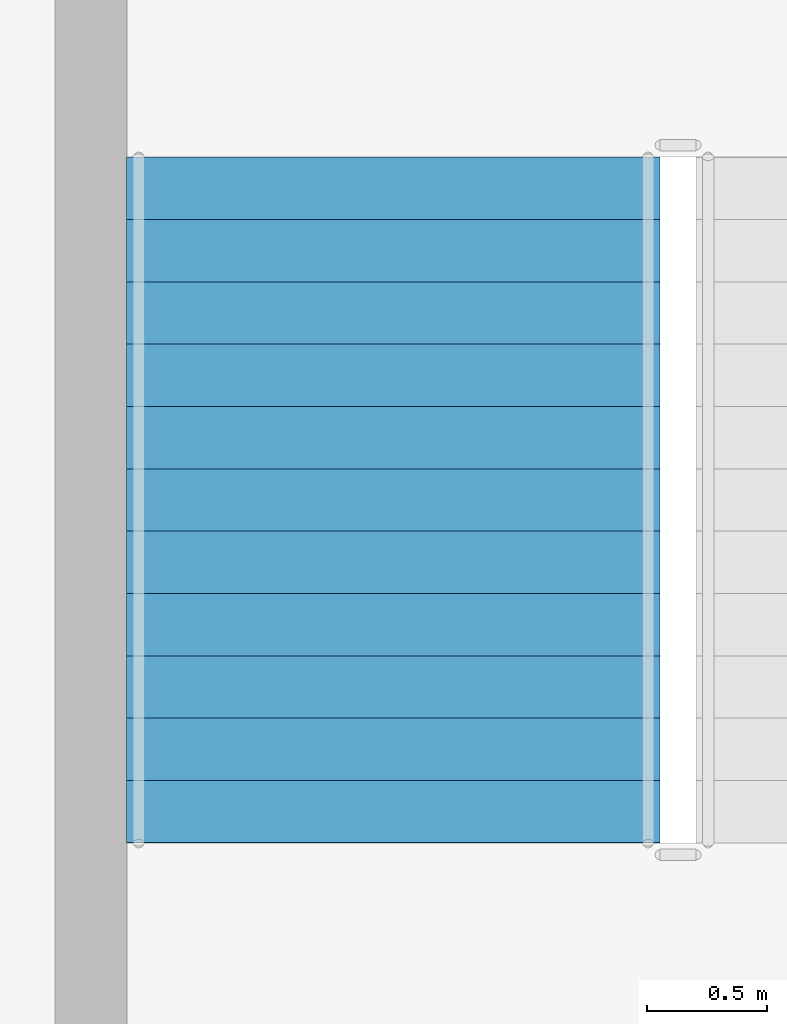
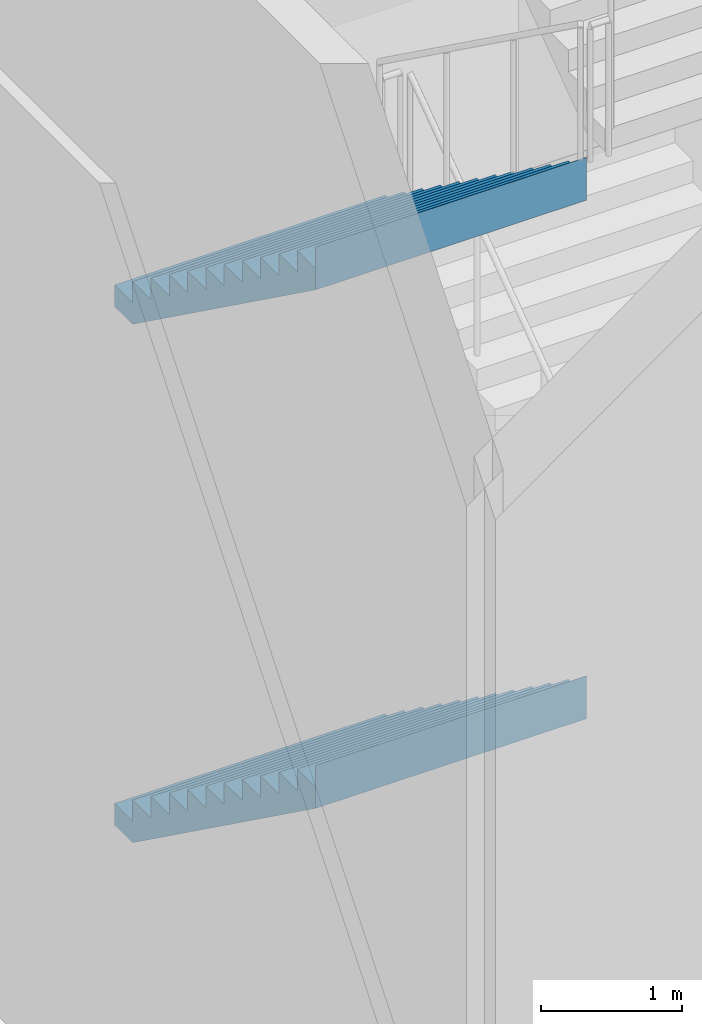
# One storey, part 17 of 35: 2 stair flights, 1 element without a shape of its own.
"""IFC4 building model written with IfcOpenShell, lengths in metres."""

from ifc_helpers import new_model, si_unit, direction, frame, origin, place, context, subcontext, project, spatial, triangles, material, type_object, element, aggregate, save


model = new_model("IFC4")

# Units and contexts
model_context = context("Model", 3, precision=1e-05, world=origin(), true_north=direction((0.0, 1.0)))
body_context = subcontext(model_context, "Body", "Model", "MODEL_VIEW")
ifc_project = project(units=[si_unit("LENGTHUNIT", "METRE"), si_unit("AREAUNIT", "SQUARE_METRE"), si_unit("VOLUMEUNIT", "CUBIC_METRE"), si_unit("PLANEANGLEUNIT", "RADIAN"), si_unit("MASSUNIT", "GRAM", prefix="KILO")], contexts=[model_context])

# Site, building, storey
site_placement = place(None, origin())
site = spatial("IfcSite", under=ifc_project, at=site_placement, CompositionType="ELEMENT")
building_placement = place(site_placement, origin())
building = spatial("IfcBuilding", under=site, at=building_placement, Name="Sahrelin Media Tower", CompositionType="ELEMENT")
storey_placement = place(building_placement, frame((0.0, 0.0, 8.0)))
storey = spatial("IfcBuildingStorey", under=building, at=storey_placement, Name="L01", CompositionType="ELEMENT", Elevation=8.0)

# Stair, stair flights
ifc_material = material(Name="Concrete C40/50", Category="concrete")
stair_type = type_object("IfcStairType", Name="Podium stair 2225", PredefinedType="HALF_TURN_STAIR", material=ifc_material)
stair_placement = place(storey_placement, origin())
stair = element("IfcStair", 1, at=stair_placement, inside=storey, type_object=stair_type, Name="L01 Podium stair PS4", PredefinedType="HALF_TURN_STAIR")
stair_flight_type = type_object("IfcStairFlightType", Name="Stair flight 2225", PredefinedType="STRAIGHT", material=ifc_material)
stair_flight_1_placement = place(storey_placement, frame((9.46240234375, -30.625, 0.0), z_axis=(0.0, 0.0, 1.0), x_axis=(0.0, -1.0, 0.0)))
stair_flight_1 = element("IfcStairFlight", 2, at=stair_flight_1_placement, type_object=stair_flight_type, Name="PS4 flight 1", NumberOfRisers=12, NumberOfTreads=11, PredefinedType="STRAIGHT", RiserHeight=0.1875, TreadLength=0.26, context=body_context, shape_type="Tessellation", body=[
    triangles([(0.25634765625, 1.112548828125, 0.0), (0.25634765625, 0.794677734375, 0.0), (0.25634765625, 0.476806640625, 0.0), (0.25634765625, 0.158935546875, 0.0), (0.25634765625, -0.158935546875, 0.0), (0.25634765625, -0.476806640625, 0.0), (0.25634765625, -0.794677734375, 0.0), (0.25634765625, -1.112548828125, 0.0), (2.860107421875, 1.112548828125, 1.877685546875), (2.860107421875, 0.794677734375, 1.877685546875), (2.860107421875, 0.476806640625, 1.877685546875), (2.860107421875, 0.158935546875, 1.877685546875), (2.860107421875, -0.158935546875, 1.877685546875), (2.860107421875, -0.476806640625, 1.877685546875), (2.860107421875, -0.794677734375, 1.877685546875), (2.860107421875, -1.112548828125, 1.877685546875), (2.860107421875, 1.112548828125, 2.25), (2.860107421875, 0.794677734375, 2.25), (2.860107421875, 0.476806640625, 2.25), (2.860107421875, 0.158935546875, 2.25), (2.860107421875, -0.158935546875, 2.25), (2.860107421875, -0.476806640625, 2.25), (2.860107421875, -0.794677734375, 2.25), (2.860107421875, -1.112548828125, 2.25), (2.85791015625, 1.112548828125, 2.25), (2.85791015625, 0.794677734375, 2.25), (2.85791015625, 0.476806640625, 2.25), (2.85791015625, 0.158935546875, 2.25), (2.85791015625, -0.158935546875, 2.25), (2.85791015625, -0.476806640625, 2.25), (2.85791015625, -0.794677734375, 2.25), (2.85791015625, -1.112548828125, 2.25), (2.85791015625, 1.112548828125, 2.0625), (2.85791015625, 0.794677734375, 2.0625), (2.85791015625, 0.476806640625, 2.0625), (2.85791015625, 0.158935546875, 2.0625), (2.85791015625, -0.158935546875, 2.0625), (2.85791015625, -0.476806640625, 2.0625), (2.85791015625, -0.794677734375, 2.0625), (2.85791015625, -1.112548828125, 2.0625), (2.60009765625, 1.112548828125, 2.0625), (2.60009765625, 0.794677734375, 2.0625), (2.60009765625, 0.476806640625, 2.0625), (2.60009765625, 0.158935546875, 2.0625), (2.60009765625, -0.158935546875, 2.0625), (2.60009765625, -0.476806640625, 2.0625), (2.60009765625, -0.794677734375, 2.0625), (2.60009765625, -1.112548828125, 2.0625), (2.60009765625, 1.112548828125, 1.875), (2.60009765625, 0.794677734375, 1.875), (2.60009765625, 0.476806640625, 1.875), (2.60009765625, 0.158935546875, 1.875), (2.60009765625, -0.158935546875, 1.875), (2.60009765625, -0.476806640625, 1.875), (2.60009765625, -0.794677734375, 1.875), (2.60009765625, -1.112548828125, 1.875), (2.340087890625, 1.112548828125, 1.875), (2.340087890625, 0.794677734375, 1.875), (2.340087890625, 0.476806640625, 1.875), (2.340087890625, 0.158935546875, 1.875), (2.340087890625, -0.158935546875, 1.875), (2.340087890625, -0.476806640625, 1.875), (2.340087890625, -0.794677734375, 1.875), (2.340087890625, -1.112548828125, 1.875), (2.340087890625, 1.112548828125, 1.6875), (2.340087890625, 0.794677734375, 1.6875), (2.340087890625, 0.476806640625, 1.6875), (2.340087890625, 0.158935546875, 1.6875), (2.340087890625, -0.158935546875, 1.6875), (2.340087890625, -0.476806640625, 1.6875), (2.340087890625, -0.794677734375, 1.6875), (2.340087890625, -1.112548828125, 1.6875), (2.080078125, 1.112548828125, 1.6875), (2.080078125, 0.794677734375, 1.6875), (2.080078125, 0.476806640625, 1.6875), (2.080078125, 0.158935546875, 1.6875), (2.080078125, -0.158935546875, 1.6875), (2.080078125, -0.476806640625, 1.6875), (2.080078125, -0.794677734375, 1.6875), (2.080078125, -1.112548828125, 1.6875), (2.080078125, 1.112548828125, 1.5), (2.080078125, 0.794677734375, 1.5), (2.080078125, 0.476806640625, 1.5), (2.080078125, 0.158935546875, 1.5), (2.080078125, -0.158935546875, 1.5), (2.080078125, -0.476806640625, 1.5), (2.080078125, -0.794677734375, 1.5), (2.080078125, -1.112548828125, 1.5), (1.820068359375, 1.112548828125, 1.5), (1.820068359375, 0.794677734375, 1.5), (1.820068359375, 0.476806640625, 1.5), (1.820068359375, 0.158935546875, 1.5), (1.820068359375, -0.158935546875, 1.5), (1.820068359375, -0.476806640625, 1.5), (1.820068359375, -0.794677734375, 1.5), (1.820068359375, -1.112548828125, 1.5), (1.820068359375, 1.112548828125, 1.3125), (1.820068359375, 0.794677734375, 1.3125), (1.820068359375, 0.476806640625, 1.3125), (1.820068359375, 0.158935546875, 1.3125), (1.820068359375, -0.158935546875, 1.3125), (1.820068359375, -0.476806640625, 1.3125), (1.820068359375, -0.794677734375, 1.3125), (1.820068359375, -1.112548828125, 1.3125), (1.56005859375, 1.112548828125, 1.3125), (1.56005859375, 0.794677734375, 1.3125), (1.56005859375, 0.476806640625, 1.3125), (1.56005859375, 0.158935546875, 1.3125), (1.56005859375, -0.158935546875, 1.3125), (1.56005859375, -0.476806640625, 1.3125), (1.56005859375, -0.794677734375, 1.3125), (1.56005859375, -1.112548828125, 1.3125), (1.56005859375, 1.112548828125, 1.125), (1.56005859375, 0.794677734375, 1.125), (1.56005859375, 0.476806640625, 1.125), (1.56005859375, 0.158935546875, 1.125), (1.56005859375, -0.158935546875, 1.125), (1.56005859375, -0.476806640625, 1.125), (1.56005859375, -0.794677734375, 1.125), (1.56005859375, -1.112548828125, 1.125), (1.300048828125, 1.112548828125, 1.125), (1.300048828125, 0.794677734375, 1.125), (1.300048828125, 0.476806640625, 1.125), (1.300048828125, 0.158935546875, 1.125), (1.300048828125, -0.158935546875, 1.125), (1.300048828125, -0.476806640625, 1.125), (1.300048828125, -0.794677734375, 1.125), (1.300048828125, -1.112548828125, 1.125), (1.300048828125, 1.112548828125, 0.9375), (1.300048828125, 0.794677734375, 0.9375), (1.300048828125, 0.476806640625, 0.9375), (1.300048828125, 0.158935546875, 0.9375), (1.300048828125, -0.158935546875, 0.9375), (1.300048828125, -0.476806640625, 0.9375), (1.300048828125, -0.794677734375, 0.9375), (1.300048828125, -1.112548828125, 0.9375), (1.0400390625, 1.112548828125, 0.9375), (1.0400390625, 0.794677734375, 0.9375), (1.0400390625, 0.476806640625, 0.9375), (1.0400390625, 0.158935546875, 0.9375), (1.0400390625, -0.158935546875, 0.9375), (1.0400390625, -0.476806640625, 0.9375), (1.0400390625, -0.794677734375, 0.9375), (1.0400390625, -1.112548828125, 0.9375), (1.0400390625, 1.112548828125, 0.75), (1.0400390625, 0.794677734375, 0.75), (1.0400390625, 0.476806640625, 0.75), (1.0400390625, 0.158935546875, 0.75), (1.0400390625, -0.158935546875, 0.75), (1.0400390625, -0.476806640625, 0.75), (1.0400390625, -0.794677734375, 0.75), (1.0400390625, -1.112548828125, 0.75), (0.780029296875, 1.112548828125, 0.75), (0.780029296875, 0.794677734375, 0.75), (0.780029296875, 0.476806640625, 0.75), (0.780029296875, 0.158935546875, 0.75), (0.780029296875, -0.158935546875, 0.75), (0.780029296875, -0.476806640625, 0.75), (0.780029296875, -0.794677734375, 0.75), (0.780029296875, -1.112548828125, 0.75), (0.780029296875, 1.112548828125, 0.5625), (0.780029296875, 0.794677734375, 0.5625), (0.780029296875, 0.476806640625, 0.5625), (0.780029296875, 0.158935546875, 0.5625), (0.780029296875, -0.158935546875, 0.5625), (0.780029296875, -0.476806640625, 0.5625), (0.780029296875, -0.794677734375, 0.5625), (0.780029296875, -1.112548828125, 0.5625), (0.52001953125, 1.112548828125, 0.5625), (0.52001953125, 0.794677734375, 0.5625), (0.52001953125, 0.476806640625, 0.5625), (0.52001953125, 0.158935546875, 0.5625), (0.52001953125, -0.158935546875, 0.5625), (0.52001953125, -0.476806640625, 0.5625), (0.52001953125, -0.794677734375, 0.5625), (0.52001953125, -1.112548828125, 0.5625), (0.52001953125, 1.112548828125, 0.375), (0.52001953125, 0.794677734375, 0.375), (0.52001953125, 0.476806640625, 0.375), (0.52001953125, 0.158935546875, 0.375), (0.52001953125, -0.158935546875, 0.375), (0.52001953125, -0.476806640625, 0.375), (0.52001953125, -0.794677734375, 0.375), (0.52001953125, -1.112548828125, 0.375), (0.260009765625, 1.112548828125, 0.375), (0.260009765625, 0.794677734375, 0.375), (0.260009765625, 0.476806640625, 0.375), (0.260009765625, 0.158935546875, 0.375), (0.260009765625, -0.158935546875, 0.375), (0.260009765625, -0.476806640625, 0.375), (0.260009765625, -0.794677734375, 0.375), (0.260009765625, -1.112548828125, 0.375), (0.260009765625, 1.112548828125, 0.1875), (0.260009765625, 0.794677734375, 0.1875), (0.260009765625, 0.476806640625, 0.1875), (0.260009765625, 0.158935546875, 0.1875), (0.260009765625, -0.158935546875, 0.1875), (0.260009765625, -0.476806640625, 0.1875), (0.260009765625, -0.794677734375, 0.1875), (0.260009765625, -1.112548828125, 0.1875), (0.0, 1.112548828125, 0.1875), (0.0, 0.794677734375, 0.1875), (0.0, 0.476806640625, 0.1875), (0.0, 0.158935546875, 0.1875), (0.0, -0.158935546875, 0.1875), (0.0, -0.476806640625, 0.1875), (0.0, -0.794677734375, 0.1875), (0.0, -1.112548828125, 0.1875), (0.0, 1.112548828125, 0.0), (0.0, 0.794677734375, 0.0), (0.0, 0.476806640625, 0.0), (0.0, 0.158935546875, 0.0), (0.0, -0.158935546875, 0.0), (0.0, -0.476806640625, 0.0), (0.0, -0.794677734375, 0.0), (0.0, -1.112548828125, 0.0)], [[1, 9, 10], [1, 10, 2], [2, 10, 11], [2, 11, 3], [3, 11, 12], [3, 12, 4], [4, 12, 13], [4, 13, 5], [5, 13, 14], [5, 14, 6], [6, 14, 15], [6, 15, 7], [7, 15, 16], [7, 16, 8], [9, 17, 18], [9, 18, 10], [10, 18, 19], [10, 19, 11], [11, 19, 20], [11, 20, 12], [12, 20, 21], [12, 21, 13], [13, 21, 22], [13, 22, 14], [14, 22, 23], [14, 23, 15], [15, 23, 24], [15, 24, 16], [17, 25, 26], [17, 26, 18], [18, 26, 27], [18, 27, 19], [19, 27, 28], [19, 28, 20], [20, 28, 29], [20, 29, 21], [21, 29, 30], [21, 30, 22], [22, 30, 31], [22, 31, 23], [23, 31, 32], [23, 32, 24], [25, 33, 34], [25, 34, 26], [26, 34, 35], [26, 35, 27], [27, 35, 36], [27, 36, 28], [28, 36, 37], [28, 37, 29], [29, 37, 38], [29, 38, 30], [30, 38, 39], [30, 39, 31], [31, 39, 40], [31, 40, 32], [33, 41, 42], [33, 42, 34], [34, 42, 43], [34, 43, 35], [35, 43, 44], [35, 44, 36], [36, 44, 45], [36, 45, 37], [37, 45, 46], [37, 46, 38], [38, 46, 47], [38, 47, 39], [39, 47, 48], [39, 48, 40], [41, 49, 50], [41, 50, 42], [42, 50, 51], [42, 51, 43], [43, 51, 52], [43, 52, 44], [44, 52, 53], [44, 53, 45], [45, 53, 54], [45, 54, 46], [46, 54, 55], [46, 55, 47], [47, 55, 56], [47, 56, 48], [49, 57, 58], [49, 58, 50], [50, 58, 59], [50, 59, 51], [51, 59, 60], [51, 60, 52], [52, 60, 61], [52, 61, 53], [53, 61, 62], [53, 62, 54], [54, 62, 63], [54, 63, 55], [55, 63, 64], [55, 64, 56], [57, 65, 66], [57, 66, 58], [58, 66, 67], [58, 67, 59], [59, 67, 68], [59, 68, 60], [60, 68, 69], [60, 69, 61], [61, 69, 70], [61, 70, 62], [62, 70, 71], [62, 71, 63], [63, 71, 72], [63, 72, 64], [65, 73, 74], [65, 74, 66], [66, 74, 75], [66, 75, 67], [67, 75, 76], [67, 76, 68], [68, 76, 77], [68, 77, 69], [69, 77, 78], [69, 78, 70], [70, 78, 79], [70, 79, 71], [71, 79, 80], [71, 80, 72], [73, 81, 82], [73, 82, 74], [74, 82, 83], [74, 83, 75], [75, 83, 84], [75, 84, 76], [76, 84, 85], [76, 85, 77], [77, 85, 86], [77, 86, 78], [78, 86, 87], [78, 87, 79], [79, 87, 88], [79, 88, 80], [81, 89, 90], [81, 90, 82], [82, 90, 91], [82, 91, 83], [83, 91, 92], [83, 92, 84], [84, 92, 93], [84, 93, 85], [85, 93, 94], [85, 94, 86], [86, 94, 95], [86, 95, 87], [87, 95, 96], [87, 96, 88], [89, 97, 98], [89, 98, 90], [90, 98, 99], [90, 99, 91], [91, 99, 100], [91, 100, 92], [92, 100, 101], [92, 101, 93], [93, 101, 102], [93, 102, 94], [94, 102, 103], [94, 103, 95], [95, 103, 104], [95, 104, 96], [97, 105, 106], [97, 106, 98], [98, 106, 107], [98, 107, 99], [99, 107, 108], [99, 108, 100], [100, 108, 109], [100, 109, 101], [101, 109, 110], [101, 110, 102], [102, 110, 111], [102, 111, 103], [103, 111, 112], [103, 112, 104], [105, 113, 114], [105, 114, 106], [106, 114, 115], [106, 115, 107], [107, 115, 116], [107, 116, 108], [108, 116, 117], [108, 117, 109], [109, 117, 118], [109, 118, 110], [110, 118, 119], [110, 119, 111], [111, 119, 120], [111, 120, 112], [113, 121, 122], [113, 122, 114], [114, 122, 123], [114, 123, 115], [115, 123, 124], [115, 124, 116], [116, 124, 125], [116, 125, 117], [117, 125, 126], [117, 126, 118], [118, 126, 127], [118, 127, 119], [119, 127, 128], [119, 128, 120], [121, 129, 130], [121, 130, 122], [122, 130, 131], [122, 131, 123], [123, 131, 132], [123, 132, 124], [124, 132, 133], [124, 133, 125], [125, 133, 134], [125, 134, 126], [126, 134, 135], [126, 135, 127], [127, 135, 136], [127, 136, 128], [129, 137, 138], [129, 138, 130], [130, 138, 139], [130, 139, 131], [131, 139, 140], [131, 140, 132], [132, 140, 141], [132, 141, 133], [133, 141, 142], [133, 142, 134], [134, 142, 143], [134, 143, 135], [135, 143, 144], [135, 144, 136], [137, 145, 146], [137, 146, 138], [138, 146, 147], [138, 147, 139], [139, 147, 148], [139, 148, 140], [140, 148, 149], [140, 149, 141], [141, 149, 150], [141, 150, 142], [142, 150, 151], [142, 151, 143], [143, 151, 152], [143, 152, 144], [145, 153, 154], [145, 154, 146], [146, 154, 155], [146, 155, 147], [147, 155, 156], [147, 156, 148], [148, 156, 157], [148, 157, 149], [149, 157, 158], [149, 158, 150], [150, 158, 159], [150, 159, 151], [151, 159, 160], [151, 160, 152], [153, 161, 162], [153, 162, 154], [154, 162, 163], [154, 163, 155], [155, 163, 164], [155, 164, 156], [156, 164, 165], [156, 165, 157], [157, 165, 166], [157, 166, 158], [158, 166, 167], [158, 167, 159], [159, 167, 168], [159, 168, 160], [161, 169, 170], [161, 170, 162], [162, 170, 171], [162, 171, 163], [163, 171, 172], [163, 172, 164], [164, 172, 173], [164, 173, 165], [165, 173, 174], [165, 174, 166], [166, 174, 175], [166, 175, 167], [167, 175, 176], [167, 176, 168], [169, 177, 178], [169, 178, 170], [170, 178, 179], [170, 179, 171], [171, 179, 180], [171, 180, 172], [172, 180, 181], [172, 181, 173], [173, 181, 182], [173, 182, 174], [174, 182, 183], [174, 183, 175], [175, 183, 184], [175, 184, 176], [177, 185, 186], [177, 186, 178], [178, 186, 187], [178, 187, 179], [179, 187, 188], [179, 188, 180], [180, 188, 189], [180, 189, 181], [181, 189, 190], [181, 190, 182], [182, 190, 191], [182, 191, 183], [183, 191, 192], [183, 192, 184], [185, 193, 194], [185, 194, 186], [186, 194, 195], [186, 195, 187], [187, 195, 196], [187, 196, 188], [188, 196, 197], [188, 197, 189], [189, 197, 198], [189, 198, 190], [190, 198, 199], [190, 199, 191], [191, 199, 200], [191, 200, 192], [193, 201, 202], [193, 202, 194], [194, 202, 203], [194, 203, 195], [195, 203, 204], [195, 204, 196], [196, 204, 205], [196, 205, 197], [197, 205, 206], [197, 206, 198], [198, 206, 207], [198, 207, 199], [199, 207, 208], [199, 208, 200], [201, 209, 210], [201, 210, 202], [202, 210, 211], [202, 211, 203], [203, 211, 212], [203, 212, 204], [204, 212, 213], [204, 213, 205], [205, 213, 214], [205, 214, 206], [206, 214, 215], [206, 215, 207], [207, 215, 216], [207, 216, 208], [209, 1, 2], [209, 2, 210], [210, 2, 3], [210, 3, 211], [211, 3, 4], [211, 4, 212], [212, 4, 5], [212, 5, 213], [213, 5, 6], [213, 6, 214], [214, 6, 7], [214, 7, 215], [215, 7, 8], [215, 8, 216], [8, 208, 216], [1, 209, 201], [200, 184, 192], [193, 185, 177], [184, 168, 176], [177, 169, 161], [168, 152, 160], [161, 153, 145], [152, 136, 144], [145, 137, 129], [136, 120, 128], [129, 121, 113], [120, 104, 112], [113, 105, 97], [104, 88, 96], [97, 89, 81], [88, 72, 80], [81, 73, 65], [72, 56, 64], [65, 57, 49], [56, 40, 48], [49, 41, 33], [40, 24, 32], [33, 25, 17], [8, 200, 208], [1, 201, 193], [16, 56, 72], [9, 65, 49], [40, 16, 24], [33, 17, 9], [184, 200, 8], [177, 1, 193], [56, 16, 40], [49, 33, 9], [168, 184, 8], [161, 1, 177], [72, 88, 16], [65, 9, 81], [152, 168, 8], [145, 1, 161], [104, 16, 88], [97, 81, 9], [136, 152, 8], [129, 1, 145], [120, 16, 104], [113, 97, 9], [120, 136, 8], [113, 1, 129], [8, 16, 120], [1, 113, 9]], closed=True),
])
stair_flight_2_placement = place(storey_placement, frame((9.46240234375, -30.625, 4.5), z_axis=(0.0, 0.0, 1.0), x_axis=(0.0, -1.0, 0.0)))
stair_flight_2 = element("IfcStairFlight", 3, at=stair_flight_2_placement, type_object=stair_flight_type, Name="PS4 flight 3", NumberOfRisers=12, NumberOfTreads=11, PredefinedType="STRAIGHT", RiserHeight=0.1875, TreadLength=0.26, context=body_context, shape_type="Tessellation", body=[
    triangles([(0.25634765625, 1.112548828125, 0.0), (0.25634765625, 0.794677734375, 0.0), (0.25634765625, 0.476806640625, 0.0), (0.25634765625, 0.158935546875, 0.0), (0.25634765625, -0.158935546875, 0.0), (0.25634765625, -0.476806640625, 0.0), (0.25634765625, -0.794677734375, 0.0), (0.25634765625, -1.112548828125, 0.0), (2.860107421875, 1.112548828125, 1.877685546875), (2.860107421875, 0.794677734375, 1.877685546875), (2.860107421875, 0.476806640625, 1.877685546875), (2.860107421875, 0.158935546875, 1.877685546875), (2.860107421875, -0.158935546875, 1.877685546875), (2.860107421875, -0.476806640625, 1.877685546875), (2.860107421875, -0.794677734375, 1.877685546875), (2.860107421875, -1.112548828125, 1.877685546875), (2.860107421875, 1.112548828125, 2.25), (2.860107421875, 0.794677734375, 2.25), (2.860107421875, 0.476806640625, 2.25), (2.860107421875, 0.158935546875, 2.25), (2.860107421875, -0.158935546875, 2.25), (2.860107421875, -0.476806640625, 2.25), (2.860107421875, -0.794677734375, 2.25), (2.860107421875, -1.112548828125, 2.25), (2.85791015625, 1.112548828125, 2.25), (2.85791015625, 0.794677734375, 2.25), (2.85791015625, 0.476806640625, 2.25), (2.85791015625, 0.158935546875, 2.25), (2.85791015625, -0.158935546875, 2.25), (2.85791015625, -0.476806640625, 2.25), (2.85791015625, -0.794677734375, 2.25), (2.85791015625, -1.112548828125, 2.25), (2.85791015625, 1.112548828125, 2.0625), (2.85791015625, 0.794677734375, 2.0625), (2.85791015625, 0.476806640625, 2.0625), (2.85791015625, 0.158935546875, 2.0625), (2.85791015625, -0.158935546875, 2.0625), (2.85791015625, -0.476806640625, 2.0625), (2.85791015625, -0.794677734375, 2.0625), (2.85791015625, -1.112548828125, 2.0625), (2.60009765625, 1.112548828125, 2.0625), (2.60009765625, 0.794677734375, 2.0625), (2.60009765625, 0.476806640625, 2.0625), (2.60009765625, 0.158935546875, 2.0625), (2.60009765625, -0.158935546875, 2.0625), (2.60009765625, -0.476806640625, 2.0625), (2.60009765625, -0.794677734375, 2.0625), (2.60009765625, -1.112548828125, 2.0625), (2.60009765625, 1.112548828125, 1.875), (2.60009765625, 0.794677734375, 1.875), (2.60009765625, 0.476806640625, 1.875), (2.60009765625, 0.158935546875, 1.875), (2.60009765625, -0.158935546875, 1.875), (2.60009765625, -0.476806640625, 1.875), (2.60009765625, -0.794677734375, 1.875), (2.60009765625, -1.112548828125, 1.875), (2.340087890625, 1.112548828125, 1.875), (2.340087890625, 0.794677734375, 1.875), (2.340087890625, 0.476806640625, 1.875), (2.340087890625, 0.158935546875, 1.875), (2.340087890625, -0.158935546875, 1.875), (2.340087890625, -0.476806640625, 1.875), (2.340087890625, -0.794677734375, 1.875), (2.340087890625, -1.112548828125, 1.875), (2.340087890625, 1.112548828125, 1.6875), (2.340087890625, 0.794677734375, 1.6875), (2.340087890625, 0.476806640625, 1.6875), (2.340087890625, 0.158935546875, 1.6875), (2.340087890625, -0.158935546875, 1.6875), (2.340087890625, -0.476806640625, 1.6875), (2.340087890625, -0.794677734375, 1.6875), (2.340087890625, -1.112548828125, 1.6875), (2.080078125, 1.112548828125, 1.6875), (2.080078125, 0.794677734375, 1.6875), (2.080078125, 0.476806640625, 1.6875), (2.080078125, 0.158935546875, 1.6875), (2.080078125, -0.158935546875, 1.6875), (2.080078125, -0.476806640625, 1.6875), (2.080078125, -0.794677734375, 1.6875), (2.080078125, -1.112548828125, 1.6875), (2.080078125, 1.112548828125, 1.5), (2.080078125, 0.794677734375, 1.5), (2.080078125, 0.476806640625, 1.5), (2.080078125, 0.158935546875, 1.5), (2.080078125, -0.158935546875, 1.5), (2.080078125, -0.476806640625, 1.5), (2.080078125, -0.794677734375, 1.5), (2.080078125, -1.112548828125, 1.5), (1.820068359375, 1.112548828125, 1.5), (1.820068359375, 0.794677734375, 1.5), (1.820068359375, 0.476806640625, 1.5), (1.820068359375, 0.158935546875, 1.5), (1.820068359375, -0.158935546875, 1.5), (1.820068359375, -0.476806640625, 1.5), (1.820068359375, -0.794677734375, 1.5), (1.820068359375, -1.112548828125, 1.5), (1.820068359375, 1.112548828125, 1.3125), (1.820068359375, 0.794677734375, 1.3125), (1.820068359375, 0.476806640625, 1.3125), (1.820068359375, 0.158935546875, 1.3125), (1.820068359375, -0.158935546875, 1.3125), (1.820068359375, -0.476806640625, 1.3125), (1.820068359375, -0.794677734375, 1.3125), (1.820068359375, -1.112548828125, 1.3125), (1.56005859375, 1.112548828125, 1.3125), (1.56005859375, 0.794677734375, 1.3125), (1.56005859375, 0.476806640625, 1.3125), (1.56005859375, 0.158935546875, 1.3125), (1.56005859375, -0.158935546875, 1.3125), (1.56005859375, -0.476806640625, 1.3125), (1.56005859375, -0.794677734375, 1.3125), (1.56005859375, -1.112548828125, 1.3125), (1.56005859375, 1.112548828125, 1.125), (1.56005859375, 0.794677734375, 1.125), (1.56005859375, 0.476806640625, 1.125), (1.56005859375, 0.158935546875, 1.125), (1.56005859375, -0.158935546875, 1.125), (1.56005859375, -0.476806640625, 1.125), (1.56005859375, -0.794677734375, 1.125), (1.56005859375, -1.112548828125, 1.125), (1.300048828125, 1.112548828125, 1.125), (1.300048828125, 0.794677734375, 1.125), (1.300048828125, 0.476806640625, 1.125), (1.300048828125, 0.158935546875, 1.125), (1.300048828125, -0.158935546875, 1.125), (1.300048828125, -0.476806640625, 1.125), (1.300048828125, -0.794677734375, 1.125), (1.300048828125, -1.112548828125, 1.125), (1.300048828125, 1.112548828125, 0.9375), (1.300048828125, 0.794677734375, 0.9375), (1.300048828125, 0.476806640625, 0.9375), (1.300048828125, 0.158935546875, 0.9375), (1.300048828125, -0.158935546875, 0.9375), (1.300048828125, -0.476806640625, 0.9375), (1.300048828125, -0.794677734375, 0.9375), (1.300048828125, -1.112548828125, 0.9375), (1.0400390625, 1.112548828125, 0.9375), (1.0400390625, 0.794677734375, 0.9375), (1.0400390625, 0.476806640625, 0.9375), (1.0400390625, 0.158935546875, 0.9375), (1.0400390625, -0.158935546875, 0.9375), (1.0400390625, -0.476806640625, 0.9375), (1.0400390625, -0.794677734375, 0.9375), (1.0400390625, -1.112548828125, 0.9375), (1.0400390625, 1.112548828125, 0.75), (1.0400390625, 0.794677734375, 0.75), (1.0400390625, 0.476806640625, 0.75), (1.0400390625, 0.158935546875, 0.75), (1.0400390625, -0.158935546875, 0.75), (1.0400390625, -0.476806640625, 0.75), (1.0400390625, -0.794677734375, 0.75), (1.0400390625, -1.112548828125, 0.75), (0.780029296875, 1.112548828125, 0.75), (0.780029296875, 0.794677734375, 0.75), (0.780029296875, 0.476806640625, 0.75), (0.780029296875, 0.158935546875, 0.75), (0.780029296875, -0.158935546875, 0.75), (0.780029296875, -0.476806640625, 0.75), (0.780029296875, -0.794677734375, 0.75), (0.780029296875, -1.112548828125, 0.75), (0.780029296875, 1.112548828125, 0.5625), (0.780029296875, 0.794677734375, 0.5625), (0.780029296875, 0.476806640625, 0.5625), (0.780029296875, 0.158935546875, 0.5625), (0.780029296875, -0.158935546875, 0.5625), (0.780029296875, -0.476806640625, 0.5625), (0.780029296875, -0.794677734375, 0.5625), (0.780029296875, -1.112548828125, 0.5625), (0.52001953125, 1.112548828125, 0.5625), (0.52001953125, 0.794677734375, 0.5625), (0.52001953125, 0.476806640625, 0.5625), (0.52001953125, 0.158935546875, 0.5625), (0.52001953125, -0.158935546875, 0.5625), (0.52001953125, -0.476806640625, 0.5625), (0.52001953125, -0.794677734375, 0.5625), (0.52001953125, -1.112548828125, 0.5625), (0.52001953125, 1.112548828125, 0.375), (0.52001953125, 0.794677734375, 0.375), (0.52001953125, 0.476806640625, 0.375), (0.52001953125, 0.158935546875, 0.375), (0.52001953125, -0.158935546875, 0.375), (0.52001953125, -0.476806640625, 0.375), (0.52001953125, -0.794677734375, 0.375), (0.52001953125, -1.112548828125, 0.375), (0.260009765625, 1.112548828125, 0.375), (0.260009765625, 0.794677734375, 0.375), (0.260009765625, 0.476806640625, 0.375), (0.260009765625, 0.158935546875, 0.375), (0.260009765625, -0.158935546875, 0.375), (0.260009765625, -0.476806640625, 0.375), (0.260009765625, -0.794677734375, 0.375), (0.260009765625, -1.112548828125, 0.375), (0.260009765625, 1.112548828125, 0.1875), (0.260009765625, 0.794677734375, 0.1875), (0.260009765625, 0.476806640625, 0.1875), (0.260009765625, 0.158935546875, 0.1875), (0.260009765625, -0.158935546875, 0.1875), (0.260009765625, -0.476806640625, 0.1875), (0.260009765625, -0.794677734375, 0.1875), (0.260009765625, -1.112548828125, 0.1875), (0.0, 1.112548828125, 0.1875), (0.0, 0.794677734375, 0.1875), (0.0, 0.476806640625, 0.1875), (0.0, 0.158935546875, 0.1875), (0.0, -0.158935546875, 0.1875), (0.0, -0.476806640625, 0.1875), (0.0, -0.794677734375, 0.1875), (0.0, -1.112548828125, 0.1875), (0.0, 1.112548828125, 0.0), (0.0, 0.794677734375, 0.0), (0.0, 0.476806640625, 0.0), (0.0, 0.158935546875, 0.0), (0.0, -0.158935546875, 0.0), (0.0, -0.476806640625, 0.0), (0.0, -0.794677734375, 0.0), (0.0, -1.112548828125, 0.0)], [[1, 9, 10], [1, 10, 2], [2, 10, 11], [2, 11, 3], [3, 11, 12], [3, 12, 4], [4, 12, 13], [4, 13, 5], [5, 13, 14], [5, 14, 6], [6, 14, 15], [6, 15, 7], [7, 15, 16], [7, 16, 8], [9, 17, 18], [9, 18, 10], [10, 18, 19], [10, 19, 11], [11, 19, 20], [11, 20, 12], [12, 20, 21], [12, 21, 13], [13, 21, 22], [13, 22, 14], [14, 22, 23], [14, 23, 15], [15, 23, 24], [15, 24, 16], [17, 25, 26], [17, 26, 18], [18, 26, 27], [18, 27, 19], [19, 27, 28], [19, 28, 20], [20, 28, 29], [20, 29, 21], [21, 29, 30], [21, 30, 22], [22, 30, 31], [22, 31, 23], [23, 31, 32], [23, 32, 24], [25, 33, 34], [25, 34, 26], [26, 34, 35], [26, 35, 27], [27, 35, 36], [27, 36, 28], [28, 36, 37], [28, 37, 29], [29, 37, 38], [29, 38, 30], [30, 38, 39], [30, 39, 31], [31, 39, 40], [31, 40, 32], [33, 41, 42], [33, 42, 34], [34, 42, 43], [34, 43, 35], [35, 43, 44], [35, 44, 36], [36, 44, 45], [36, 45, 37], [37, 45, 46], [37, 46, 38], [38, 46, 47], [38, 47, 39], [39, 47, 48], [39, 48, 40], [41, 49, 50], [41, 50, 42], [42, 50, 51], [42, 51, 43], [43, 51, 52], [43, 52, 44], [44, 52, 53], [44, 53, 45], [45, 53, 54], [45, 54, 46], [46, 54, 55], [46, 55, 47], [47, 55, 56], [47, 56, 48], [49, 57, 58], [49, 58, 50], [50, 58, 59], [50, 59, 51], [51, 59, 60], [51, 60, 52], [52, 60, 61], [52, 61, 53], [53, 61, 62], [53, 62, 54], [54, 62, 63], [54, 63, 55], [55, 63, 64], [55, 64, 56], [57, 65, 66], [57, 66, 58], [58, 66, 67], [58, 67, 59], [59, 67, 68], [59, 68, 60], [60, 68, 69], [60, 69, 61], [61, 69, 70], [61, 70, 62], [62, 70, 71], [62, 71, 63], [63, 71, 72], [63, 72, 64], [65, 73, 74], [65, 74, 66], [66, 74, 75], [66, 75, 67], [67, 75, 76], [67, 76, 68], [68, 76, 77], [68, 77, 69], [69, 77, 78], [69, 78, 70], [70, 78, 79], [70, 79, 71], [71, 79, 80], [71, 80, 72], [73, 81, 82], [73, 82, 74], [74, 82, 83], [74, 83, 75], [75, 83, 84], [75, 84, 76], [76, 84, 85], [76, 85, 77], [77, 85, 86], [77, 86, 78], [78, 86, 87], [78, 87, 79], [79, 87, 88], [79, 88, 80], [81, 89, 90], [81, 90, 82], [82, 90, 91], [82, 91, 83], [83, 91, 92], [83, 92, 84], [84, 92, 93], [84, 93, 85], [85, 93, 94], [85, 94, 86], [86, 94, 95], [86, 95, 87], [87, 95, 96], [87, 96, 88], [89, 97, 98], [89, 98, 90], [90, 98, 99], [90, 99, 91], [91, 99, 100], [91, 100, 92], [92, 100, 101], [92, 101, 93], [93, 101, 102], [93, 102, 94], [94, 102, 103], [94, 103, 95], [95, 103, 104], [95, 104, 96], [97, 105, 106], [97, 106, 98], [98, 106, 107], [98, 107, 99], [99, 107, 108], [99, 108, 100], [100, 108, 109], [100, 109, 101], [101, 109, 110], [101, 110, 102], [102, 110, 111], [102, 111, 103], [103, 111, 112], [103, 112, 104], [105, 113, 114], [105, 114, 106], [106, 114, 115], [106, 115, 107], [107, 115, 116], [107, 116, 108], [108, 116, 117], [108, 117, 109], [109, 117, 118], [109, 118, 110], [110, 118, 119], [110, 119, 111], [111, 119, 120], [111, 120, 112], [113, 121, 122], [113, 122, 114], [114, 122, 123], [114, 123, 115], [115, 123, 124], [115, 124, 116], [116, 124, 125], [116, 125, 117], [117, 125, 126], [117, 126, 118], [118, 126, 127], [118, 127, 119], [119, 127, 128], [119, 128, 120], [121, 129, 130], [121, 130, 122], [122, 130, 131], [122, 131, 123], [123, 131, 132], [123, 132, 124], [124, 132, 133], [124, 133, 125], [125, 133, 134], [125, 134, 126], [126, 134, 135], [126, 135, 127], [127, 135, 136], [127, 136, 128], [129, 137, 138], [129, 138, 130], [130, 138, 139], [130, 139, 131], [131, 139, 140], [131, 140, 132], [132, 140, 141], [132, 141, 133], [133, 141, 142], [133, 142, 134], [134, 142, 143], [134, 143, 135], [135, 143, 144], [135, 144, 136], [137, 145, 146], [137, 146, 138], [138, 146, 147], [138, 147, 139], [139, 147, 148], [139, 148, 140], [140, 148, 149], [140, 149, 141], [141, 149, 150], [141, 150, 142], [142, 150, 151], [142, 151, 143], [143, 151, 152], [143, 152, 144], [145, 153, 154], [145, 154, 146], [146, 154, 155], [146, 155, 147], [147, 155, 156], [147, 156, 148], [148, 156, 157], [148, 157, 149], [149, 157, 158], [149, 158, 150], [150, 158, 159], [150, 159, 151], [151, 159, 160], [151, 160, 152], [153, 161, 162], [153, 162, 154], [154, 162, 163], [154, 163, 155], [155, 163, 164], [155, 164, 156], [156, 164, 165], [156, 165, 157], [157, 165, 166], [157, 166, 158], [158, 166, 167], [158, 167, 159], [159, 167, 168], [159, 168, 160], [161, 169, 170], [161, 170, 162], [162, 170, 171], [162, 171, 163], [163, 171, 172], [163, 172, 164], [164, 172, 173], [164, 173, 165], [165, 173, 174], [165, 174, 166], [166, 174, 175], [166, 175, 167], [167, 175, 176], [167, 176, 168], [169, 177, 178], [169, 178, 170], [170, 178, 179], [170, 179, 171], [171, 179, 180], [171, 180, 172], [172, 180, 181], [172, 181, 173], [173, 181, 182], [173, 182, 174], [174, 182, 183], [174, 183, 175], [175, 183, 184], [175, 184, 176], [177, 185, 186], [177, 186, 178], [178, 186, 187], [178, 187, 179], [179, 187, 188], [179, 188, 180], [180, 188, 189], [180, 189, 181], [181, 189, 190], [181, 190, 182], [182, 190, 191], [182, 191, 183], [183, 191, 192], [183, 192, 184], [185, 193, 194], [185, 194, 186], [186, 194, 195], [186, 195, 187], [187, 195, 196], [187, 196, 188], [188, 196, 197], [188, 197, 189], [189, 197, 198], [189, 198, 190], [190, 198, 199], [190, 199, 191], [191, 199, 200], [191, 200, 192], [193, 201, 202], [193, 202, 194], [194, 202, 203], [194, 203, 195], [195, 203, 204], [195, 204, 196], [196, 204, 205], [196, 205, 197], [197, 205, 206], [197, 206, 198], [198, 206, 207], [198, 207, 199], [199, 207, 208], [199, 208, 200], [201, 209, 210], [201, 210, 202], [202, 210, 211], [202, 211, 203], [203, 211, 212], [203, 212, 204], [204, 212, 213], [204, 213, 205], [205, 213, 214], [205, 214, 206], [206, 214, 215], [206, 215, 207], [207, 215, 216], [207, 216, 208], [209, 1, 2], [209, 2, 210], [210, 2, 3], [210, 3, 211], [211, 3, 4], [211, 4, 212], [212, 4, 5], [212, 5, 213], [213, 5, 6], [213, 6, 214], [214, 6, 7], [214, 7, 215], [215, 7, 8], [215, 8, 216], [8, 208, 216], [1, 209, 201], [200, 184, 192], [193, 185, 177], [184, 168, 176], [177, 169, 161], [168, 152, 160], [161, 153, 145], [152, 136, 144], [145, 137, 129], [136, 120, 128], [129, 121, 113], [120, 104, 112], [113, 105, 97], [104, 88, 96], [97, 89, 81], [88, 72, 80], [81, 73, 65], [72, 56, 64], [65, 57, 49], [56, 40, 48], [49, 41, 33], [40, 24, 32], [33, 25, 17], [8, 200, 208], [1, 201, 193], [16, 56, 72], [9, 65, 49], [40, 16, 24], [33, 17, 9], [184, 200, 8], [177, 1, 193], [56, 16, 40], [49, 33, 9], [168, 184, 8], [161, 1, 177], [72, 88, 16], [65, 9, 81], [152, 168, 8], [145, 1, 161], [104, 16, 88], [97, 81, 9], [136, 152, 8], [129, 1, 145], [120, 16, 104], [113, 97, 9], [120, 136, 8], [113, 1, 129], [8, 16, 120], [1, 113, 9]], closed=True),
])
aggregate(stair, [stair_flight_1, stair_flight_2])

save(model, "model.ifc")
